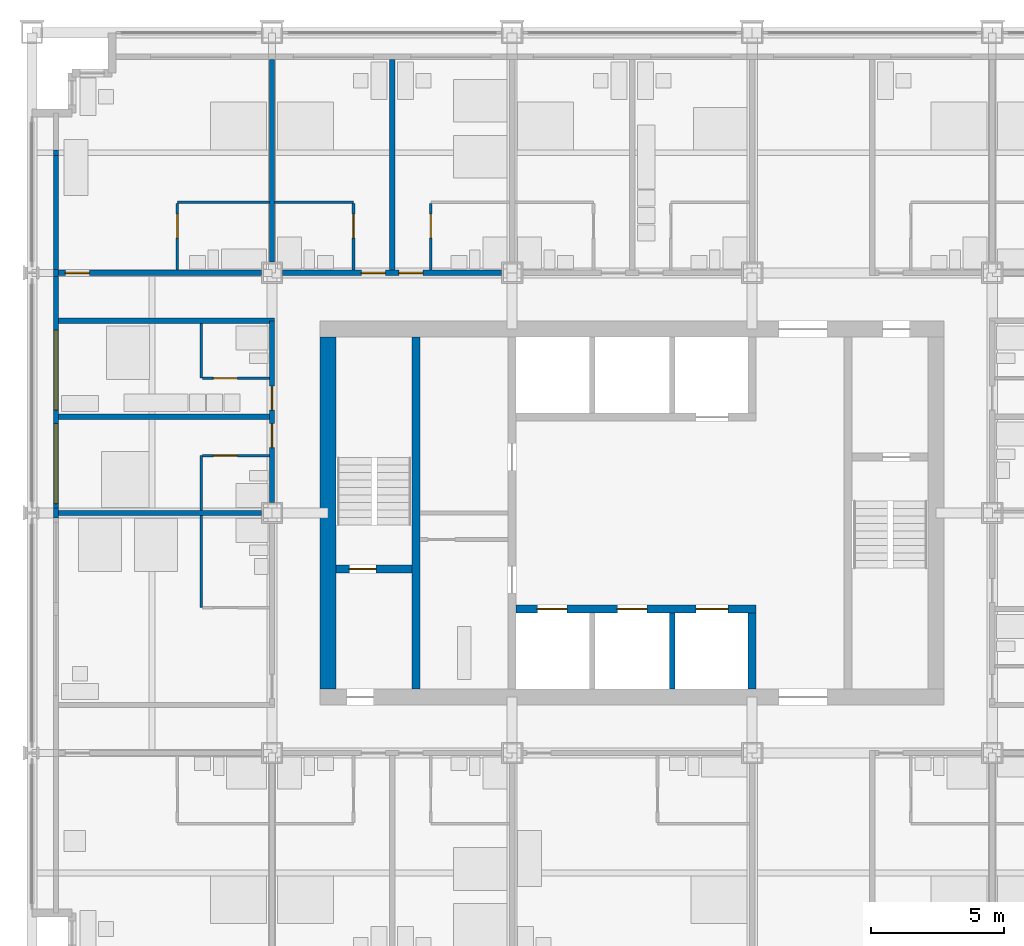
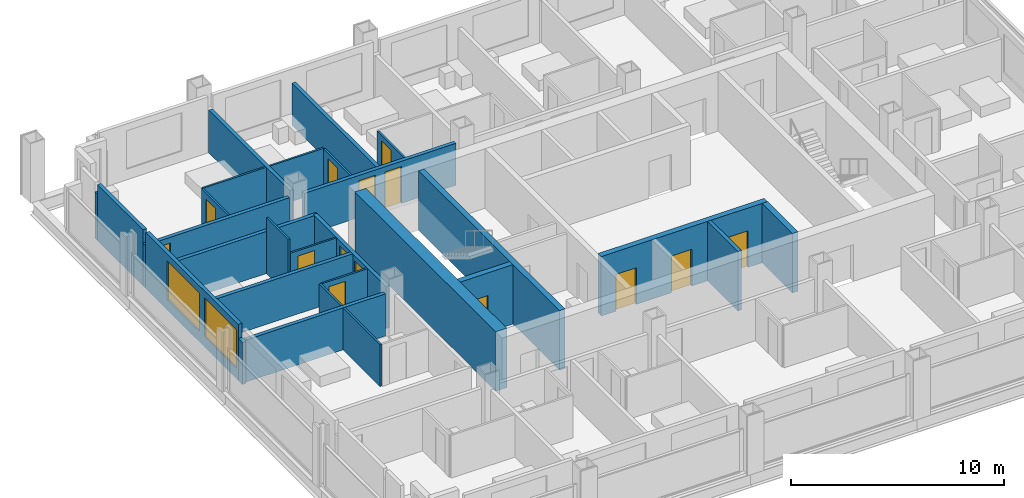
# One storey, part 10 of 17: 29 walls, 14 doors, 2 windows, 16 openings.
"""IFC4 building model written with IfcOpenShell, lengths in metres."""

from ifc_helpers import new_model, si_unit, direction, frame, frame_2d, origin, place, context, subcontext, project, spatial, rectangle, extrude, material, layer, layer_set, type_object, element, fill, save


model = new_model("IFC4")

# Units and contexts
model_context = context("Model", 3, precision=1e-05, world=origin(), true_north=direction((0.0, 1.0)))
body_context = subcontext(model_context, "Body", "Model", "MODEL_VIEW")
ifc_project = project(units=[si_unit("LENGTHUNIT", "METRE"), si_unit("AREAUNIT", "SQUARE_METRE"), si_unit("VOLUMEUNIT", "CUBIC_METRE"), si_unit("PLANEANGLEUNIT", "RADIAN"), si_unit("MASSUNIT", "GRAM", prefix="KILO")], contexts=[model_context])

# Site, building, storey
site_placement = place(None, origin())
site = spatial("IfcSite", under=ifc_project, at=site_placement, CompositionType="ELEMENT")
building_placement = place(site_placement, origin())
building = spatial("IfcBuilding", under=site, at=building_placement, Name="Loomwork Tower", CompositionType="ELEMENT")
storey_placement = place(building_placement, frame((0.0, 0.0, 145.199951171875)))
storey = spatial("IfcBuildingStorey", under=building, at=storey_placement, Name="L39", CompositionType="ELEMENT", Elevation=145.199951171875)

# Wall
ifc_material_1 = material(Name="Concrete 14000 psi (97 MPa)", Category="concrete")
ifc_layer_1 = layer(ifc_material_1, 0.300048828125)
ifc_layer_set_1 = layer_set([ifc_layer_1], Name="Core shear wall 300")
wall_type_1 = type_object("IfcWallType", Name="Core shear wall 300", PredefinedType="SHEAR", material=ifc_layer_set_1)
wall_1_placement = place(storey_placement, frame((14.39990234375, 11.39990234375, 0.0), z_axis=(0.0, 0.0, 1.0), x_axis=(0.0, 1.0, 0.0)))
element("IfcWall", 1, at=wall_1_placement, inside=storey, type_object=wall_type_1, Name="Stair A east wall L39", PredefinedType="SHEAR", context=body_context, shape_type="SweptSolid", body=[
    extrude(rectangle(XDim=13.2001953125, YDim=0.300048828125, at=frame_2d((6.60009765625, 0.0))), origin(), (0.0, 0.0, 1.0), 3.400146484375),
])

# Wall, opening, door
wall_2_placement = place(storey_placement, frame((11.39990234375, 15.89990234375, 0.0), z_axis=(0.0, 0.0, 1.0), x_axis=(1.0, 0.0, 0.0)))
wall_2 = element("IfcWall", 2, at=wall_2_placement, inside=storey, type_object=wall_type_1, Name="Stair A south wall L39", PredefinedType="SHEAR", context=body_context, shape_type="SweptSolid", body=[
    extrude(rectangle(XDim=2.85009765625, YDim=0.300048828125, at=frame_2d((1.425048828125, 0.0))), origin(), (0.0, 0.0, 1.0), 3.400146484375),
])
opening_1_placement = place(wall_2_placement, frame((0.5, 0.0, 0.0)))
opening_1 = element("IfcOpeningElement", 3, at=opening_1_placement, cuts=wall_2, Name="Opening D4", PredefinedType="OPENING", context=body_context, shape_type="SweptSolid", body=[
    extrude(rectangle(XDim=1.0, YDim=2.10009765625, at=frame_2d((0.5, 1.050048828125))), frame((0.0, 0.159912109375, 0.0), z_axis=(0.0, -1.0, 0.0), x_axis=(1.0, 0.0, 0.0)), (0.0, 0.0, 1.0), 0.320068359375),
])
ifc_material_2 = material(Name="Hollow metal door and frame")
door_type_1 = type_object("IfcDoorType", Name="Stair door 1000", OperationType="SINGLE_SWING_RIGHT", PredefinedType="DOOR", material=ifc_material_2)
door_1_placement = place(opening_1_placement, origin())
door_1 = element("IfcDoor", 4, at=door_1_placement, inside=storey, type_object=door_type_1, Name="Stair A door", OperationType="SINGLE_SWING_LEFT", OverallHeight=2.10009765625, OverallWidth=1.0, PredefinedType="DOOR", context=body_context, shape_type="SweptSolid", body=[
    extrude(rectangle(XDim=1.0, YDim=2.10009765625, at=frame_2d((0.5, 1.050048828125))), frame((0.0, 0.02490234375, 0.0), z_axis=(0.0, -1.0, 0.0), x_axis=(1.0, 0.0, 0.0)), (0.0, 0.0, 1.0), 0.050048828125),
])
fill(opening_1, door_1)

# Wall, openings, doors
wall_3_placement = place(storey_placement, frame((18.14990234375, 14.39990234375, 0.0), z_axis=(0.0, 0.0, 1.0), x_axis=(1.0, 0.0, 0.0)))
wall_3 = element("IfcWall", 5, at=wall_3_placement, inside=storey, type_object=wall_type_1, Name="Lift front wall south L39", PredefinedType="SHEAR", context=body_context, shape_type="SweptSolid", body=[
    extrude(rectangle(XDim=9.0, YDim=0.300048828125, at=frame_2d((4.5, 0.0))), origin(), (0.0, 0.0, 1.0), 3.400146484375),
])
opening_2_placement = place(wall_3_placement, frame((0.800048828125, 0.0, 0.0)))
opening_2 = element("IfcOpeningElement", 6, at=opening_2_placement, cuts=wall_3, Name="Opening LD1", PredefinedType="OPENING", context=body_context, shape_type="SweptSolid", body=[
    extrude(rectangle(XDim=1.10009765625, YDim=2.10009765625, at=frame_2d((0.550048828125, 1.050048828125))), frame((0.0, 0.159912109375, 0.0), z_axis=(0.0, -1.0, 0.0), x_axis=(1.0, 0.0, 0.0)), (0.0, 0.0, 1.0), 0.320068359375),
])
opening_3_placement = place(wall_3_placement, frame((3.800048828125, 0.0, 0.0)))
opening_3 = element("IfcOpeningElement", 7, at=opening_3_placement, cuts=wall_3, Name="Opening LD1", PredefinedType="OPENING", context=body_context, shape_type="SweptSolid", body=[
    extrude(rectangle(XDim=1.10009765625, YDim=2.10009765625, at=frame_2d((0.550048828125, 1.050048828125))), frame((0.0, 0.159912109375, 0.0), z_axis=(0.0, -1.0, 0.0), x_axis=(1.0, 0.0, 0.0)), (0.0, 0.0, 1.0), 0.320068359375),
])
opening_4_placement = place(wall_3_placement, frame((6.75, 0.0, 0.0)))
opening_4 = element("IfcOpeningElement", 8, at=opening_4_placement, cuts=wall_3, Name="Opening LD2", PredefinedType="OPENING", context=body_context, shape_type="SweptSolid", body=[
    extrude(rectangle(XDim=1.199951171875, YDim=2.10009765625, at=frame_2d((0.60009765625, 1.050048828125))), frame((0.0, 0.159912109375, 0.0), z_axis=(0.0, -1.0, 0.0), x_axis=(1.0, 0.0, 0.0)), (0.0, 0.0, 1.0), 0.320068359375),
])
ifc_material_3 = material(Name="Hollow metal door and frame")
door_type_2 = type_object("IfcDoorType", Name="Lift landing door 1100", OperationType="SLIDING_TO_LEFT", PredefinedType="DOOR", material=ifc_material_3)
door_2_placement = place(opening_2_placement, origin())
door_2 = element("IfcDoor", 9, at=door_2_placement, inside=storey, type_object=door_type_2, Name="Lift landing door LB1", OperationType="SLIDING_TO_LEFT", OverallHeight=2.10009765625, OverallWidth=1.10009765625, PredefinedType="DOOR", context=body_context, shape_type="SweptSolid", body=[
    extrude(rectangle(XDim=1.10009765625, YDim=2.10009765625, at=frame_2d((0.550048828125, 1.050048828125))), frame((0.0, 0.02490234375, 0.0), z_axis=(0.0, -1.0, 0.0), x_axis=(1.0, 0.0, 0.0)), (0.0, 0.0, 1.0), 0.050048828125),
])
fill(opening_2, door_2)
door_3_placement = place(opening_3_placement, origin())
door_3 = element("IfcDoor", 10, at=door_3_placement, inside=storey, type_object=door_type_2, Name="Lift landing door LB2", OperationType="SLIDING_TO_LEFT", OverallHeight=2.10009765625, OverallWidth=1.10009765625, PredefinedType="DOOR", context=body_context, shape_type="SweptSolid", body=[
    extrude(rectangle(XDim=1.10009765625, YDim=2.10009765625, at=frame_2d((0.550048828125, 1.050048828125))), frame((0.0, 0.02490234375, 0.0), z_axis=(0.0, -1.0, 0.0), x_axis=(1.0, 0.0, 0.0)), (0.0, 0.0, 1.0), 0.050048828125),
])
fill(opening_3, door_3)
ifc_material_4 = material(Name="Hollow metal door and frame")
door_type_3 = type_object("IfcDoorType", Name="Lift landing door 1200", OperationType="SLIDING_TO_LEFT", PredefinedType="DOOR", material=ifc_material_4)
door_4_placement = place(opening_4_placement, origin())
door_4 = element("IfcDoor", 11, at=door_4_placement, inside=storey, type_object=door_type_3, Name="Lift landing door LF1", OperationType="SLIDING_TO_LEFT", OverallHeight=2.10009765625, OverallWidth=1.199951171875, PredefinedType="DOOR", context=body_context, shape_type="SweptSolid", body=[
    extrude(rectangle(XDim=1.199951171875, YDim=2.10009765625, at=frame_2d((0.60009765625, 1.050048828125))), frame((0.0, 0.02490234375, 0.0), z_axis=(0.0, -1.0, 0.0), x_axis=(1.0, 0.0, 0.0)), (0.0, 0.0, 1.0), 0.050048828125),
])
fill(opening_4, door_4)

# Walls
wall_4_placement = place(storey_placement, frame((27.0, 11.39990234375, 0.0), z_axis=(0.0, 0.0, 1.0), x_axis=(0.0, 1.0, 0.0)))
element("IfcWall", 12, at=wall_4_placement, inside=storey, type_object=wall_type_1, Name="Lift shaft end wall south L39", PredefinedType="SHEAR", context=body_context, shape_type="SweptSolid", body=[
    extrude(rectangle(XDim=2.85009765625, YDim=0.300048828125, at=frame_2d((1.425048828125, 0.0))), origin(), (0.0, 0.0, 1.0), 3.400146484375),
])
ifc_material_5 = material(Name="Concrete 14000 psi (97 MPa)", Category="concrete")
ifc_layer_2 = layer(ifc_material_5, 0.60009765625)
ifc_layer_set_2 = layer_set([ifc_layer_2], Name="Core shear wall 600")
wall_type_2 = type_object("IfcWallType", Name="Core shear wall 600", PredefinedType="SHEAR", material=ifc_layer_set_2)
wall_5_placement = place(storey_placement, frame((11.10009765625, 11.39990234375, 0.0), z_axis=(0.0, 0.0, 1.0), x_axis=(0.0, 1.0, 0.0)))
element("IfcWall", 13, at=wall_5_placement, inside=storey, type_object=wall_type_2, Name="Core wall west L39", PredefinedType="SHEAR", context=body_context, shape_type="SweptSolid", body=[
    extrude(rectangle(XDim=13.2001953125, YDim=0.60009765625, at=frame_2d((6.60009765625, 0.0))), origin(), (0.0, 0.0, 1.0), 3.400146484375),
])

# Wall, opening, door
ifc_material_6 = material(Name="Gypsum board on steel studs, one-hour", Category="steel")
ifc_layer_3 = layer(ifc_material_6, 0.199951171875)
ifc_layer_set_3 = layer_set([ifc_layer_3], Name="Corridor wall 200")
wall_type_3 = type_object("IfcWallType", Name="Corridor wall 200", PredefinedType="PARTITIONING", material=ifc_layer_set_3)
wall_6_placement = place(storey_placement, frame((1.0, 27.0, 0.0), z_axis=(0.0, 0.0, 1.0), x_axis=(1.0, 0.0, 0.0)))
wall_6 = element("IfcWall", 14, at=wall_6_placement, inside=storey, type_object=wall_type_3, Name="North corridor wall 1", PredefinedType="PARTITIONING", context=body_context, shape_type="SweptSolid", body=[
    extrude(rectangle(XDim=7.60009765625, YDim=0.199951171875, at=frame_2d((3.800048828125, 0.0))), origin(), (0.0, 0.0, 1.0), 2.43798828125),
])
opening_5_placement = place(wall_6_placement, frame((0.25, 0.0, 0.0)))
opening_5 = element("IfcOpeningElement", 15, at=opening_5_placement, cuts=wall_6, Name="Opening D1", PredefinedType="OPENING", context=body_context, shape_type="SweptSolid", body=[
    extrude(rectangle(XDim=0.89990234375, YDim=2.10009765625, at=frame_2d((0.449951171875, 1.050048828125))), frame((0.0, 0.10986328125, 0.0), z_axis=(0.0, -1.0, 0.0), x_axis=(1.0, 0.0, 0.0)), (0.0, 0.0, 1.0), 0.219970703125),
])
ifc_material_7 = material(Name="Hollow metal door and frame")
door_type_4 = type_object("IfcDoorType", Name="Guest room entry door 900", OperationType="SINGLE_SWING_LEFT", PredefinedType="DOOR", material=ifc_material_7)
door_5_placement = place(opening_5_placement, origin())
door_5 = element("IfcDoor", 16, at=door_5_placement, inside=storey, type_object=door_type_4, Name="Guest room entry door L39 7", OperationType="SINGLE_SWING_LEFT", OverallHeight=2.10009765625, OverallWidth=0.89990234375, PredefinedType="DOOR", context=body_context, shape_type="SweptSolid", body=[
    extrude(rectangle(XDim=0.89990234375, YDim=2.10009765625, at=frame_2d((0.449951171875, 1.050048828125))), frame((0.0, 0.02490234375, 0.0), z_axis=(0.0, -1.0, 0.0), x_axis=(1.0, 0.0, 0.0)), (0.0, 0.0, 1.0), 0.050048828125),
])
fill(opening_5, door_5)

# Wall, openings, doors
wall_7_placement = place(storey_placement, frame((9.39990234375, 27.0, 0.0), z_axis=(0.0, 0.0, 1.0), x_axis=(1.0, 0.0, 0.0)))
wall_7 = element("IfcWall", 17, at=wall_7_placement, inside=storey, type_object=wall_type_3, Name="North corridor wall 2", PredefinedType="PARTITIONING", context=body_context, shape_type="SweptSolid", body=[
    extrude(rectangle(XDim=8.2001953125, YDim=0.199951171875, at=frame_2d((4.10009765625, 0.0))), origin(), (0.0, 0.0, 1.0), 2.405029296875),
])
opening_6_placement = place(wall_7_placement, frame((2.949951171875, 0.0, 0.0)))
opening_6 = element("IfcOpeningElement", 18, at=opening_6_placement, cuts=wall_7, Name="Opening D1", PredefinedType="OPENING", context=body_context, shape_type="SweptSolid", body=[
    extrude(rectangle(XDim=0.89990234375, YDim=2.10009765625, at=frame_2d((0.449951171875, 1.050048828125))), frame((0.0, 0.10986328125, 0.0), z_axis=(0.0, -1.0, 0.0), x_axis=(1.0, 0.0, 0.0)), (0.0, 0.0, 1.0), 0.219970703125),
])
opening_7_placement = place(wall_7_placement, frame((4.35009765625, 0.0, 0.0)))
opening_7 = element("IfcOpeningElement", 19, at=opening_7_placement, cuts=wall_7, Name="Opening D1", PredefinedType="OPENING", context=body_context, shape_type="SweptSolid", body=[
    extrude(rectangle(XDim=0.89990234375, YDim=2.10009765625, at=frame_2d((0.449951171875, 1.050048828125))), frame((0.0, 0.10986328125, 0.0), z_axis=(0.0, -1.0, 0.0), x_axis=(1.0, 0.0, 0.0)), (0.0, 0.0, 1.0), 0.219970703125),
])
door_6_placement = place(opening_6_placement, origin())
door_6 = element("IfcDoor", 20, at=door_6_placement, inside=storey, type_object=door_type_4, Name="Guest room entry door L39 8", OperationType="SINGLE_SWING_RIGHT", OverallHeight=2.10009765625, OverallWidth=0.89990234375, PredefinedType="DOOR", context=body_context, shape_type="SweptSolid", body=[
    extrude(rectangle(XDim=0.89990234375, YDim=2.10009765625, at=frame_2d((0.449951171875, 1.050048828125))), frame((0.0, 0.02490234375, 0.0), z_axis=(0.0, -1.0, 0.0), x_axis=(1.0, 0.0, 0.0)), (0.0, 0.0, 1.0), 0.050048828125),
])
fill(opening_6, door_6)
door_7_placement = place(opening_7_placement, origin())
door_7 = element("IfcDoor", 21, at=door_7_placement, inside=storey, type_object=door_type_4, Name="Guest room entry door L39 9", OperationType="SINGLE_SWING_LEFT", OverallHeight=2.10009765625, OverallWidth=0.89990234375, PredefinedType="DOOR", context=body_context, shape_type="SweptSolid", body=[
    extrude(rectangle(XDim=0.89990234375, YDim=2.10009765625, at=frame_2d((0.449951171875, 1.050048828125))), frame((0.0, 0.02490234375, 0.0), z_axis=(0.0, -1.0, 0.0), x_axis=(1.0, 0.0, 0.0)), (0.0, 0.0, 1.0), 0.050048828125),
])
fill(opening_7, door_7)

wall_8_placement = place(storey_placement, frame((9.0, 18.39990234375, 0.0), z_axis=(0.0, 0.0, 1.0), x_axis=(0.0, 1.0, 0.0)))
wall_8 = element("IfcWall", 22, at=wall_8_placement, inside=storey, type_object=wall_type_3, Name="West corridor wall 2", PredefinedType="PARTITIONING", context=body_context, shape_type="SweptSolid", body=[
    extrude(rectangle(XDim=6.800048828125, YDim=0.199951171875, at=frame_2d((3.39990234375, 0.0))), origin(), (0.0, 0.0, 1.0), 2.405029296875),
])
opening_8_placement = place(wall_8_placement, frame((2.050048828125, 0.0, 0.0)))
opening_8 = element("IfcOpeningElement", 23, at=opening_8_placement, cuts=wall_8, Name="Opening D1", PredefinedType="OPENING", context=body_context, shape_type="SweptSolid", body=[
    extrude(rectangle(XDim=0.89990234375, YDim=2.10009765625, at=frame_2d((0.449951171875, 1.050048828125))), frame((0.0, 0.10986328125, 0.0), z_axis=(0.0, -1.0, 0.0), x_axis=(1.0, 0.0, 0.0)), (0.0, 0.0, 1.0), 0.219970703125),
])
opening_9_placement = place(wall_8_placement, frame((3.449951171875, 0.0, 0.0)))
opening_9 = element("IfcOpeningElement", 24, at=opening_9_placement, cuts=wall_8, Name="Opening D1", PredefinedType="OPENING", context=body_context, shape_type="SweptSolid", body=[
    extrude(rectangle(XDim=0.89990234375, YDim=2.10009765625, at=frame_2d((0.449951171875, 1.050048828125))), frame((0.0, 0.10986328125, 0.0), z_axis=(0.0, -1.0, 0.0), x_axis=(1.0, 0.0, 0.0)), (0.0, 0.0, 1.0), 0.219970703125),
])
door_8_placement = place(opening_8_placement, origin())
door_8 = element("IfcDoor", 25, at=door_8_placement, inside=storey, type_object=door_type_4, Name="Guest room entry door L39 15", OperationType="SINGLE_SWING_RIGHT", OverallHeight=2.10009765625, OverallWidth=0.89990234375, PredefinedType="DOOR", context=body_context, shape_type="SweptSolid", body=[
    extrude(rectangle(XDim=0.89990234375, YDim=2.10009765625, at=frame_2d((0.449951171875, 1.050048828125))), frame((0.0, 0.02490234375, 0.0), z_axis=(0.0, -1.0, 0.0), x_axis=(1.0, 0.0, 0.0)), (0.0, 0.0, 1.0), 0.050048828125),
])
fill(opening_8, door_8)
door_9_placement = place(opening_9_placement, origin())
door_9 = element("IfcDoor", 26, at=door_9_placement, inside=storey, type_object=door_type_4, Name="Guest room entry door L39 16", OperationType="SINGLE_SWING_LEFT", OverallHeight=2.10009765625, OverallWidth=0.89990234375, PredefinedType="DOOR", context=body_context, shape_type="SweptSolid", body=[
    extrude(rectangle(XDim=0.89990234375, YDim=2.10009765625, at=frame_2d((0.449951171875, 1.050048828125))), frame((0.0, 0.02490234375, 0.0), z_axis=(0.0, -1.0, 0.0), x_axis=(1.0, 0.0, 0.0)), (0.0, 0.0, 1.0), 0.050048828125),
])
fill(opening_9, door_9)

# Walls
wall_9_placement = place(storey_placement, frame((1.0, 25.199951171875, 0.0), z_axis=(0.0, 0.0, 1.0), x_axis=(1.0, 0.0, 0.0)))
element("IfcWall", 27, at=wall_9_placement, inside=storey, type_object=wall_type_3, Name="West band end wall N", PredefinedType="PARTITIONING", context=body_context, shape_type="SweptSolid", body=[
    extrude(rectangle(XDim=8.10009765625, YDim=0.199951171875, at=frame_2d((4.050048828125, 0.0))), origin(), (0.0, 0.0, 1.0), 2.404052734375),
])
ifc_material_8 = material(Name="Cement board on steel studs", Category="steel")
ifc_layer_4 = layer(ifc_material_8, 0.10009765625)
ifc_layer_set_4 = layer_set([ifc_layer_4], Name="En-suite partition 100")
wall_type_4 = type_object("IfcWallType", Name="En-suite partition 100", PredefinedType="PARTITIONING", material=ifc_layer_set_4)
wall_10_placement = place(storey_placement, frame((5.449951171875, 29.64990234375, 0.0), z_axis=(0.0, 0.0, 1.0), x_axis=(1.0, 0.0, 0.0)))
element("IfcWall", 28, at=wall_10_placement, inside=storey, type_object=wall_type_4, Name="En-suite wall L39 room 7", PredefinedType="PARTITIONING", context=body_context, shape_type="SweptSolid", body=[
    extrude(rectangle(XDim=3.449951171875, YDim=0.10009765625, at=frame_2d((1.72509765625, 0.0))), origin(), (0.0, 0.0, 1.0), 2.43798828125),
])

# Wall, opening, door
wall_11_placement = place(storey_placement, frame((5.449951171875, 27.10009765625, 0.0), z_axis=(0.0, 0.0, 1.0), x_axis=(0.0, 1.0, 0.0)))
wall_11 = element("IfcWall", 29, at=wall_11_placement, inside=storey, type_object=wall_type_4, Name="En-suite side wall L39 room 7", PredefinedType="PARTITIONING", context=body_context, shape_type="SweptSolid", body=[
    extrude(rectangle(XDim=2.5, YDim=0.10009765625, at=frame_2d((1.25, 0.0))), origin(), (0.0, 0.0, 1.0), 2.43798828125),
])
opening_10_placement = place(wall_11_placement, frame((1.199951171875, 0.0, 0.0)))
opening_10 = element("IfcOpeningElement", 30, at=opening_10_placement, cuts=wall_11, Name="Opening D2", PredefinedType="OPENING", context=body_context, shape_type="SweptSolid", body=[
    extrude(rectangle(XDim=0.89990234375, YDim=2.10009765625, at=frame_2d((0.449951171875, 1.050048828125))), frame((0.0, 0.06005859375, 0.0), z_axis=(0.0, -1.0, 0.0), x_axis=(1.0, 0.0, 0.0)), (0.0, 0.0, 1.0), 0.1201171875),
])
ifc_material_9 = material(Name="Hollow metal door and frame")
door_type_5 = type_object("IfcDoorType", Name="En-suite door 900", OperationType="SINGLE_SWING_LEFT", PredefinedType="DOOR", material=ifc_material_9)
door_10_placement = place(opening_10_placement, frame((0.89990234375, 0.0, 0.0), z_axis=(0.0, 0.0, 1.0), x_axis=(-1.0, 0.0, 0.0)))
door_10 = element("IfcDoor", 31, at=door_10_placement, inside=storey, type_object=door_type_5, Name="En-suite door room 7", OperationType="SINGLE_SWING_LEFT", OverallHeight=2.10009765625, OverallWidth=0.89990234375, PredefinedType="DOOR", context=body_context, shape_type="SweptSolid", body=[
    extrude(rectangle(XDim=0.89990234375, YDim=2.10009765625, at=frame_2d((0.449951171875, 1.050048828125))), frame((0.0, 0.02490234375, 0.0), z_axis=(0.0, -1.0, 0.0), x_axis=(1.0, 0.0, 0.0)), (0.0, 0.0, 1.0), 0.050048828125),
])
fill(opening_10, door_10)

# Wall
wall_12_placement = place(storey_placement, frame((9.10009765625, 29.64990234375, 0.0), z_axis=(0.0, 0.0, 1.0), x_axis=(1.0, 0.0, 0.0)))
element("IfcWall", 32, at=wall_12_placement, inside=storey, type_object=wall_type_4, Name="En-suite wall L39 room 8", PredefinedType="PARTITIONING", context=body_context, shape_type="SweptSolid", body=[
    extrude(rectangle(XDim=2.949951171875, YDim=0.10009765625, at=frame_2d((1.47509765625, 0.0))), origin(), (0.0, 0.0, 1.0), 2.43798828125),
])

# Wall, opening, door
wall_13_placement = place(storey_placement, frame((12.050048828125, 27.10009765625, 0.0), z_axis=(0.0, 0.0, 1.0), x_axis=(0.0, 1.0, 0.0)))
wall_13 = element("IfcWall", 33, at=wall_13_placement, inside=storey, type_object=wall_type_4, Name="En-suite side wall L39 room 8", PredefinedType="PARTITIONING", context=body_context, shape_type="SweptSolid", body=[
    extrude(rectangle(XDim=2.5, YDim=0.10009765625, at=frame_2d((1.25, 0.0))), origin(), (0.0, 0.0, 1.0), 2.404052734375),
])
opening_11_placement = place(wall_13_placement, frame((1.199951171875, 0.0, 0.0)))
opening_11 = element("IfcOpeningElement", 34, at=opening_11_placement, cuts=wall_13, Name="Opening D2", PredefinedType="OPENING", context=body_context, shape_type="SweptSolid", body=[
    extrude(rectangle(XDim=0.89990234375, YDim=2.10009765625, at=frame_2d((0.449951171875, 1.050048828125))), frame((0.0, 0.06005859375, 0.0), z_axis=(0.0, -1.0, 0.0), x_axis=(1.0, 0.0, 0.0)), (0.0, 0.0, 1.0), 0.1201171875),
])
door_11_placement = place(opening_11_placement, origin())
door_11 = element("IfcDoor", 35, at=door_11_placement, inside=storey, type_object=door_type_5, Name="En-suite door room 8", OperationType="SINGLE_SWING_RIGHT", OverallHeight=2.10009765625, OverallWidth=0.89990234375, PredefinedType="DOOR", context=body_context, shape_type="SweptSolid", body=[
    extrude(rectangle(XDim=0.89990234375, YDim=2.10009765625, at=frame_2d((0.449951171875, 1.050048828125))), frame((0.0, 0.02490234375, 0.0), z_axis=(0.0, -1.0, 0.0), x_axis=(1.0, 0.0, 0.0)), (0.0, 0.0, 1.0), 0.050048828125),
])
fill(opening_11, door_11)

wall_14_placement = place(storey_placement, frame((14.949951171875, 27.10009765625, 0.0), z_axis=(0.0, 0.0, 1.0), x_axis=(0.0, 1.0, 0.0)))
wall_14 = element("IfcWall", 36, at=wall_14_placement, inside=storey, type_object=wall_type_4, Name="En-suite side wall L39 room 9", PredefinedType="PARTITIONING", context=body_context, shape_type="SweptSolid", body=[
    extrude(rectangle(XDim=2.5, YDim=0.10009765625, at=frame_2d((1.25, 0.0))), origin(), (0.0, 0.0, 1.0), 2.404052734375),
])
opening_12_placement = place(wall_14_placement, frame((1.199951171875, 0.0, 0.0)))
opening_12 = element("IfcOpeningElement", 37, at=opening_12_placement, cuts=wall_14, Name="Opening D2", PredefinedType="OPENING", context=body_context, shape_type="SweptSolid", body=[
    extrude(rectangle(XDim=0.89990234375, YDim=2.10009765625, at=frame_2d((0.449951171875, 1.050048828125))), frame((0.0, 0.06005859375, 0.0), z_axis=(0.0, -1.0, 0.0), x_axis=(1.0, 0.0, 0.0)), (0.0, 0.0, 1.0), 0.1201171875),
])
door_12_placement = place(opening_12_placement, frame((0.89990234375, 0.0, 0.0), z_axis=(0.0, 0.0, 1.0), x_axis=(-1.0, 0.0, 0.0)))
door_12 = element("IfcDoor", 38, at=door_12_placement, inside=storey, type_object=door_type_5, Name="En-suite door room 9", OperationType="SINGLE_SWING_LEFT", OverallHeight=2.10009765625, OverallWidth=0.89990234375, PredefinedType="DOOR", context=body_context, shape_type="SweptSolid", body=[
    extrude(rectangle(XDim=0.89990234375, YDim=2.10009765625, at=frame_2d((0.449951171875, 1.050048828125))), frame((0.0, 0.02490234375, 0.0), z_axis=(0.0, -1.0, 0.0), x_axis=(1.0, 0.0, 0.0)), (0.0, 0.0, 1.0), 0.050048828125),
])
fill(opening_12, door_12)

# Walls
wall_15_placement = place(storey_placement, frame((6.35009765625, 14.449951171875, 0.0), z_axis=(0.0, 0.0, 1.0), x_axis=(0.0, 1.0, 0.0)))
element("IfcWall", 39, at=wall_15_placement, inside=storey, type_object=wall_type_4, Name="En-suite wall L39 room 14", PredefinedType="PARTITIONING", context=body_context, shape_type="SweptSolid", body=[
    extrude(rectangle(XDim=3.449951171875, YDim=0.10009765625, at=frame_2d((1.72509765625, 0.0))), origin(), (0.0, 0.0, 1.0), 2.404052734375),
])
wall_16_placement = place(storey_placement, frame((6.35009765625, 18.10009765625, 0.0), z_axis=(0.0, 0.0, 1.0), x_axis=(0.0, 1.0, 0.0)))
element("IfcWall", 40, at=wall_16_placement, inside=storey, type_object=wall_type_4, Name="En-suite wall L39 room 15", PredefinedType="PARTITIONING", context=body_context, shape_type="SweptSolid", body=[
    extrude(rectangle(XDim=2.0498046875, YDim=0.10009765625, at=frame_2d((1.02490234375, 0.0))), origin(), (0.0, 0.0, 1.0), 2.404052734375),
])

# Wall, opening, door
wall_17_placement = place(storey_placement, frame((8.89990234375, 20.14990234375, 0.0), z_axis=(0.0, 0.0, 1.0), x_axis=(-1.0, 0.0, 0.0)))
wall_17 = element("IfcWall", 41, at=wall_17_placement, inside=storey, type_object=wall_type_4, Name="En-suite side wall L39 room 15", PredefinedType="PARTITIONING", context=body_context, shape_type="SweptSolid", body=[
    extrude(rectangle(XDim=2.5, YDim=0.10009765625, at=frame_2d((1.25, 0.0))), origin(), (0.0, 0.0, 1.0), 2.404052734375),
])
opening_13_placement = place(wall_17_placement, frame((1.199951171875, 0.0, 0.0)))
opening_13 = element("IfcOpeningElement", 42, at=opening_13_placement, cuts=wall_17, Name="Opening D2", PredefinedType="OPENING", context=body_context, shape_type="SweptSolid", body=[
    extrude(rectangle(XDim=0.89990234375, YDim=2.10009765625, at=frame_2d((0.449951171875, 1.050048828125))), frame((0.0, 0.06005859375, 0.0), z_axis=(0.0, -1.0, 0.0), x_axis=(1.0, 0.0, 0.0)), (0.0, 0.0, 1.0), 0.1201171875),
])
door_13_placement = place(opening_13_placement, origin())
door_13 = element("IfcDoor", 43, at=door_13_placement, inside=storey, type_object=door_type_5, Name="En-suite door room 15", OperationType="SINGLE_SWING_RIGHT", OverallHeight=2.10009765625, OverallWidth=0.89990234375, PredefinedType="DOOR", context=body_context, shape_type="SweptSolid", body=[
    extrude(rectangle(XDim=0.89990234375, YDim=2.10009765625, at=frame_2d((0.449951171875, 1.050048828125))), frame((0.0, 0.02490234375, 0.0), z_axis=(0.0, -1.0, 0.0), x_axis=(1.0, 0.0, 0.0)), (0.0, 0.0, 1.0), 0.050048828125),
])
fill(opening_13, door_13)

# Wall
wall_18_placement = place(storey_placement, frame((6.35009765625, 23.050048828125, 0.0), z_axis=(0.0, 0.0, 1.0), x_axis=(0.0, 1.0, 0.0)))
element("IfcWall", 44, at=wall_18_placement, inside=storey, type_object=wall_type_4, Name="En-suite wall L39 room 16", PredefinedType="PARTITIONING", context=body_context, shape_type="SweptSolid", body=[
    extrude(rectangle(XDim=2.050048828125, YDim=0.10009765625, at=frame_2d((1.02490234375, 0.0))), origin(), (0.0, 0.0, 1.0), 3.199951171875),
])

# Wall, opening, door
wall_19_placement = place(storey_placement, frame((8.89990234375, 23.050048828125, 0.0), z_axis=(0.0, 0.0, 1.0), x_axis=(-1.0, 0.0, 0.0)))
wall_19 = element("IfcWall", 45, at=wall_19_placement, inside=storey, type_object=wall_type_4, Name="En-suite side wall L39 room 16", PredefinedType="PARTITIONING", context=body_context, shape_type="SweptSolid", body=[
    extrude(rectangle(XDim=2.5, YDim=0.10009765625, at=frame_2d((1.25, 0.0))), origin(), (0.0, 0.0, 1.0), 2.404052734375),
])
opening_14_placement = place(wall_19_placement, frame((1.199951171875, 0.0, 0.0)))
opening_14 = element("IfcOpeningElement", 46, at=opening_14_placement, cuts=wall_19, Name="Opening D2", PredefinedType="OPENING", context=body_context, shape_type="SweptSolid", body=[
    extrude(rectangle(XDim=0.89990234375, YDim=2.10009765625, at=frame_2d((0.449951171875, 1.050048828125))), frame((0.0, 0.06005859375, 0.0), z_axis=(0.0, -1.0, 0.0), x_axis=(1.0, 0.0, 0.0)), (0.0, 0.0, 1.0), 0.1201171875),
])
door_14_placement = place(opening_14_placement, frame((0.89990234375, 0.0, 0.0), z_axis=(0.0, 0.0, 1.0), x_axis=(-1.0, 0.0, 0.0)))
door_14 = element("IfcDoor", 47, at=door_14_placement, inside=storey, type_object=door_type_5, Name="En-suite door room 16", OperationType="SINGLE_SWING_LEFT", OverallHeight=2.10009765625, OverallWidth=0.89990234375, PredefinedType="DOOR", context=body_context, shape_type="SweptSolid", body=[
    extrude(rectangle(XDim=0.89990234375, YDim=2.10009765625, at=frame_2d((0.449951171875, 1.050048828125))), frame((0.0, 0.02490234375, 0.0), z_axis=(0.0, -1.0, 0.0), x_axis=(1.0, 0.0, 0.0)), (0.0, 0.0, 1.0), 0.050048828125),
])
fill(opening_14, door_14)

# Walls
ifc_material_10 = material(Name="Gypsum board on steel studs, acoustic", Category="steel")
ifc_layer_5 = layer(ifc_material_10, 0.199951171875)
ifc_layer_set_5 = layer_set([ifc_layer_5], Name="Guest room party wall 200")
wall_type_5 = type_object("IfcWallType", Name="Guest room party wall 200", PredefinedType="PARTITIONING", material=ifc_layer_set_5)
wall_20_placement = place(storey_placement, frame((9.0, 27.39990234375, 0.0), z_axis=(0.0, 0.0, 1.0), x_axis=(0.0, 1.0, 0.0)))
element("IfcWall", 48, at=wall_20_placement, inside=storey, type_object=wall_type_5, Name="Guest room party wall N 9", PredefinedType="PARTITIONING", context=body_context, shape_type="SweptSolid", body=[
    extrude(rectangle(XDim=7.60009765625, YDim=0.199951171875, at=frame_2d((3.800048828125, 0.0))), origin(), (0.0, 0.0, 1.0), 2.43798828125),
])
wall_21_placement = place(storey_placement, frame((13.5, 27.10009765625, 0.0), z_axis=(0.0, 0.0, 1.0), x_axis=(0.0, 1.0, 0.0)))
element("IfcWall", 49, at=wall_21_placement, inside=storey, type_object=wall_type_5, Name="Guest room party wall N 13.5", PredefinedType="PARTITIONING", context=body_context, shape_type="SweptSolid", body=[
    extrude(rectangle(XDim=7.89990234375, YDim=0.199951171875, at=frame_2d((3.949951171875, 0.0))), origin(), (0.0, 0.0, 1.0), 2.404052734375),
])
wall_22_placement = place(storey_placement, frame((8.60009765625, 18.0, 0.0), z_axis=(0.0, 0.0, 1.0), x_axis=(-1.0, 0.0, 0.0)))
element("IfcWall", 50, at=wall_22_placement, inside=storey, type_object=wall_type_5, Name="Guest room party wall W 18", PredefinedType="PARTITIONING", context=body_context, shape_type="SweptSolid", body=[
    extrude(rectangle(XDim=7.60009765625, YDim=0.199951171875, at=frame_2d((3.800048828125, 0.0))), origin(), (0.0, 0.0, 1.0), 2.405029296875),
])
wall_23_placement = place(storey_placement, frame((8.89990234375, 21.60009765625, 0.0), z_axis=(0.0, 0.0, 1.0), x_axis=(-1.0, 0.0, 0.0)))
element("IfcWall", 51, at=wall_23_placement, inside=storey, type_object=wall_type_5, Name="Guest room party wall W 21.6", PredefinedType="PARTITIONING", context=body_context, shape_type="SweptSolid", body=[
    extrude(rectangle(XDim=7.89990234375, YDim=0.199951171875, at=frame_2d((3.949951171875, 0.0))), origin(), (0.0, 0.0, 1.0), 2.404052734375),
])
ifc_material_11 = material(Name="Insulated steel stud wall with gypsum lining", Category="steel")
ifc_layer_6 = layer(ifc_material_11, 0.199951171875)
ifc_layer_set_6 = layer_set([ifc_layer_6], Name="Inner skin wall 200")
wall_type_6 = type_object("IfcWallType", Name="Inner skin wall 200", PredefinedType="SOLIDWALL", material=ifc_layer_set_6)
wall_24_placement = place(storey_placement, frame((0.89990234375, 17.80615234375, 0.0), z_axis=(0.0, 0.0, 1.0), x_axis=(0.0, 1.0, 0.0)))
element("IfcWall", 52, at=wall_24_placement, inside=storey, type_object=wall_type_6, Name="Inner skin wall W bay 6", PredefinedType="SOLIDWALL", context=body_context, shape_type="SweptSolid", body=[
    extrude(rectangle(XDim=0.3876953125, YDim=0.199951171875, at=frame_2d((0.19384765625, 0.0))), origin(), (0.0, 0.0, 1.0), 2.404052734375),
])

# Wall, openings, windows
wall_25_placement = place(storey_placement, frame((0.89990234375, 18.19384765625, 0.0), z_axis=(0.0, 0.0, 1.0), x_axis=(0.0, 1.0, 0.0)))
wall_25 = element("IfcWall", 53, at=wall_25_placement, inside=storey, type_object=wall_type_6, Name="Inner skin wall W bay 7", PredefinedType="SOLIDWALL", context=body_context, shape_type="SweptSolid", body=[
    extrude(rectangle(XDim=8.6708984375, YDim=0.199951171875, at=frame_2d((4.33544921875, 0.0))), origin(), (0.0, 0.0, 1.0), 3.199951171875),
])
opening_15_placement = place(wall_25_placement, frame((0.15625, 0.0, 0.60009765625)))
opening_15 = element("IfcOpeningElement", 54, at=opening_15_placement, cuts=wall_25, Name="Opening CH1", PredefinedType="OPENING", context=body_context, shape_type="SweptSolid", body=[
    extrude(rectangle(XDim=3.0, YDim=2.199951171875, at=frame_2d((1.5, 1.10009765625))), frame((0.0, 0.10986328125, 0.0), z_axis=(0.0, -1.0, 0.0), x_axis=(1.0, 0.0, 0.0)), (0.0, 0.0, 1.0), 0.219970703125),
])
opening_16_placement = place(wall_25_placement, frame((3.65625, 0.0, 0.60009765625)))
opening_16 = element("IfcOpeningElement", 55, at=opening_16_placement, cuts=wall_25, Name="Opening CH1", PredefinedType="OPENING", context=body_context, shape_type="SweptSolid", body=[
    extrude(rectangle(XDim=3.0, YDim=2.199951171875, at=frame_2d((1.5, 1.10009765625))), frame((0.0, 0.10986328125, 0.0), z_axis=(0.0, -1.0, 0.0), x_axis=(1.0, 0.0, 0.0)), (0.0, 0.0, 1.0), 0.219970703125),
])
ifc_material_12 = material(Name="Aluminium frame with clear insulated glass", Category="aluminium")
window_type = type_object("IfcWindowType", Name="Chicago window 3000", PartitioningType="TRIPLE_PANEL_VERTICAL", PredefinedType="WINDOW", material=ifc_material_12)
window_1_placement = place(opening_15_placement, origin())
window_1 = element("IfcWindow", 56, at=window_1_placement, inside=storey, type_object=window_type, Name="Chicago window L39 bay 12", OverallHeight=2.199951171875, OverallWidth=3.0, PartitioningType="TRIPLE_PANEL_VERTICAL", PredefinedType="WINDOW", context=body_context, shape_type="SweptSolid", body=[
    extrude(rectangle(XDim=3.0, YDim=2.199951171875, at=frame_2d((1.5, 1.10009765625))), frame((0.0, 0.030029296875, 0.0), z_axis=(0.0, -1.0, 0.0), x_axis=(1.0, 0.0, 0.0)), (0.0, 0.0, 1.0), 0.06005859375),
])
fill(opening_15, window_1)
window_2_placement = place(opening_16_placement, origin())
window_2 = element("IfcWindow", 57, at=window_2_placement, inside=storey, type_object=window_type, Name="Chicago window L39 bay 12", OverallHeight=2.199951171875, OverallWidth=3.0, PartitioningType="TRIPLE_PANEL_VERTICAL", PredefinedType="WINDOW", context=body_context, shape_type="SweptSolid", body=[
    extrude(rectangle(XDim=3.0, YDim=2.199951171875, at=frame_2d((1.5, 1.10009765625))), frame((0.0, 0.030029296875, 0.0), z_axis=(0.0, -1.0, 0.0), x_axis=(1.0, 0.0, 0.0)), (0.0, 0.0, 1.0), 0.06005859375),
])
fill(opening_16, window_2)

# Walls
wall_26_placement = place(storey_placement, frame((0.89990234375, 26.86474609375, 0.0), z_axis=(0.0, 0.0, 1.0), x_axis=(0.0, 1.0, 0.0)))
element("IfcWall", 58, at=wall_26_placement, inside=storey, type_object=wall_type_6, Name="Inner skin wall W bay 8", PredefinedType="SOLIDWALL", context=body_context, shape_type="SweptSolid", body=[
    extrude(rectangle(XDim=0.2705078125, YDim=0.199951171875, at=frame_2d((0.13525390625, 0.0))), origin(), (0.0, 0.0, 1.0), 2.43798828125),
])
wall_27_placement = place(storey_placement, frame((0.89990234375, 27.13525390625, 0.0), z_axis=(0.0, 0.0, 1.0), x_axis=(0.0, 1.0, 0.0)))
element("IfcWall", 59, at=wall_27_placement, inside=storey, type_object=wall_type_6, Name="Inner skin wall W bay 9", PredefinedType="SOLIDWALL", context=body_context, shape_type="SweptSolid", body=[
    extrude(rectangle(XDim=4.25732421875, YDim=0.199951171875, at=frame_2d((2.128662109375, 0.0))), origin(), (0.0, 0.0, 1.0), 3.199951171875),
])
wall_28_placement = place(storey_placement, frame((0.89990234375, 31.392578125, 0.0), z_axis=(0.0, 0.0, 1.0), x_axis=(0.0, 1.0, 0.0)))
element("IfcWall", 60, at=wall_28_placement, inside=storey, type_object=wall_type_6, Name="Inner skin wall W bay 10", PredefinedType="SOLIDWALL", context=body_context, shape_type="SweptSolid", body=[
    extrude(rectangle(XDim=0.21484375, YDim=0.199951171875, at=frame_2d((0.107421875, 0.0))), origin(), (0.0, 0.0, 1.0), 2.6611328125),
])
ifc_material_13 = material(Name="Concrete 14000 psi (97 MPa)", Category="concrete")
ifc_layer_7 = layer(ifc_material_13, 0.199951171875)
ifc_layer_set_7 = layer_set([ifc_layer_7], Name="Lift shaft wall 200")
wall_type_7 = type_object("IfcWallType", Name="Lift shaft wall 200", PredefinedType="SHEAR", material=ifc_layer_set_7)
wall_29_placement = place(storey_placement, frame((24.0, 11.39990234375, 0.0), z_axis=(0.0, 0.0, 1.0), x_axis=(0.0, 1.0, 0.0)))
element("IfcWall", 61, at=wall_29_placement, inside=storey, type_object=wall_type_7, Name="Lift shaft separation wall south 2 L39", PredefinedType="SHEAR", context=body_context, shape_type="SweptSolid", body=[
    extrude(rectangle(XDim=2.85009765625, YDim=0.199951171875, at=frame_2d((1.425048828125, 0.0))), origin(), (0.0, 0.0, 1.0), 3.400146484375),
])

save(model, "model.ifc")
